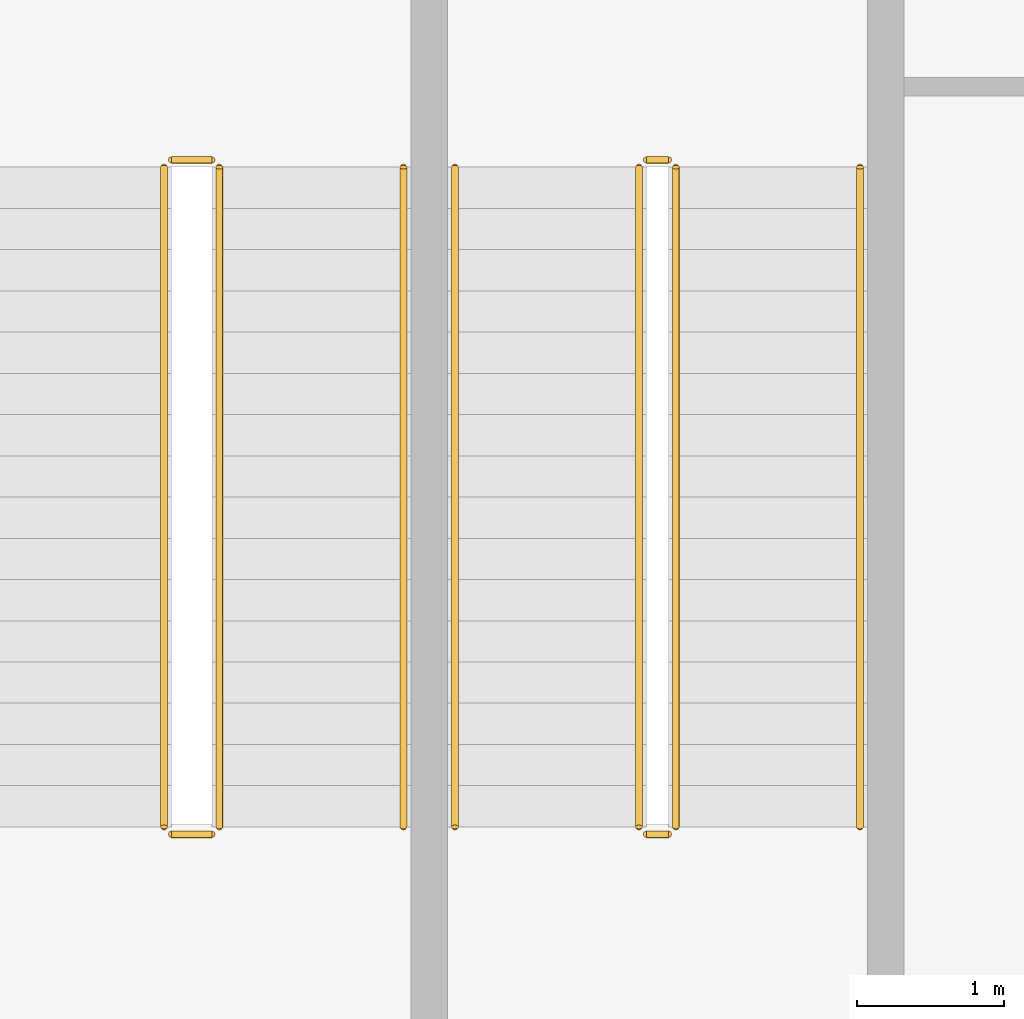
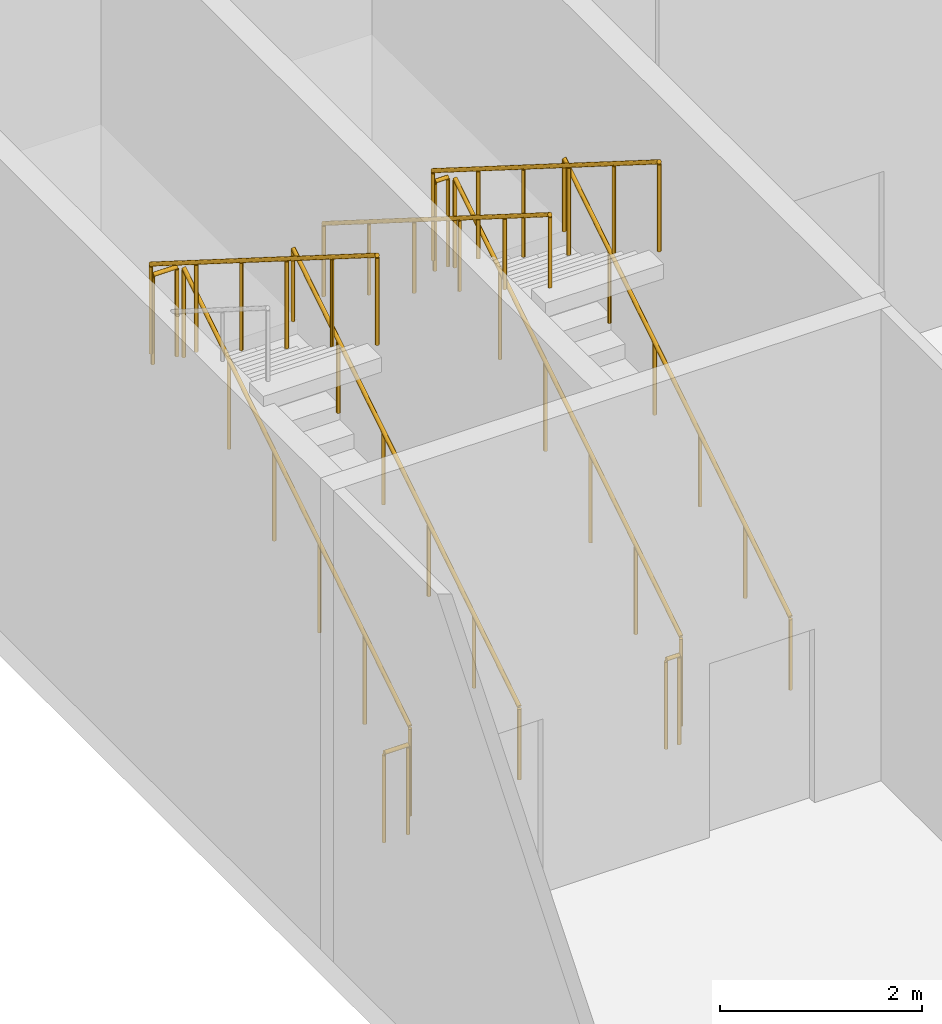
# One storey, part 45 of 47: 11 railings.
"""IFC4 building model written with IfcOpenShell, lengths in metres."""

from ifc_helpers import new_model, si_unit, direction, frame, origin, origin_2d, place, context, subcontext, project, spatial, circle, extrude, material, type_object, element, save


model = new_model("IFC4")

# Units and contexts
model_context = context("Model", 3, precision=1e-05, world=origin(), true_north=direction((0.0, 1.0)))
body_context = subcontext(model_context, "Body", "Model", "MODEL_VIEW")
ifc_project = project(units=[si_unit("LENGTHUNIT", "METRE"), si_unit("AREAUNIT", "SQUARE_METRE"), si_unit("VOLUMEUNIT", "CUBIC_METRE"), si_unit("PLANEANGLEUNIT", "RADIAN"), si_unit("MASSUNIT", "GRAM", prefix="KILO")], contexts=[model_context])

# Site, building, storey
site_placement = place(None, origin())
site = spatial("IfcSite", under=ifc_project, at=site_placement, CompositionType="ELEMENT")
building_placement = place(site_placement, origin())
building = spatial("IfcBuilding", under=site, at=building_placement, Name="Candeia Pilgrim Tower and Theatre", CompositionType="ELEMENT")
storey_placement = place(building_placement, frame((0.0, 0.0, 23.0)))
storey = spatial("IfcBuildingStorey", under=building, at=storey_placement, Name="L03", CompositionType="ELEMENT", Elevation=23.0)

# Railings
ifc_material = material(Name="Steel S355", Category="steel")
railing_type_1 = type_object("IfcRailingType", Name="Guard 1100 steel balustrade", PredefinedType="GUARDRAIL", material=ifc_material)
railing_1_placement = place(storey_placement, frame((177.800048828125, 107.77490234375, 0.176513671875)))
element("IfcRailing", 1, at=railing_1_placement, inside=storey, type_object=railing_type_1, Name="L03 TS1 stair guard 1", PredefinedType="GUARDRAIL", context=body_context, shape_type="SweptSolid", body=[
    extrude(circle(Radius=0.02392578125, at=origin_2d()), frame((0.0, 0.0, 1.076171875), z_axis=(0.0, 0.845997938375, 0.533186166611), x_axis=(-1.0, 0.0, 0.0)), (0.0, 0.0, 1.0), 5.29541015625),
    extrude(circle(Radius=0.02099609375, at=origin_2d()), origin(), (0.0, 0.0, 1.0), 1.052001953125),
    extrude(circle(Radius=0.02099609375, at=origin_2d()), frame((0.0, 0.89599609375, 0.564697265625)), (0.0, 0.0, 1.0), 1.052001953125),
    extrude(circle(Radius=0.02099609375, at=origin_2d()), frame((0.0, 1.7919921875, 1.12939453125)), (0.0, 0.0, 1.0), 1.052001953125),
    extrude(circle(Radius=0.02099609375, at=origin_2d()), frame((0.0, 2.68798828125, 1.694091796875)), (0.0, 0.0, 1.0), 1.052001953125),
    extrude(circle(Radius=0.02099609375, at=origin_2d()), frame((0.0, 3.583984375, 2.2587890625)), (0.0, 0.0, 1.0), 1.052001953125),
    extrude(circle(Radius=0.02099609375, at=origin_2d()), frame((0.0, 4.47998046875, 2.823486328125)), (0.0, 0.0, 1.0), 1.052001953125),
])
railing_2_placement = place(storey_placement, frame((177.75, 112.304931640625, 3.0)))
element("IfcRailing", 2, at=railing_2_placement, inside=storey, type_object=railing_type_1, Name="L03 TS1 stair guard 2", PredefinedType="GUARDRAIL", context=body_context, shape_type="SweptSolid", body=[
    extrude(circle(Radius=0.02392578125, at=origin_2d()), frame((0.0, 0.0, 1.076171875), z_axis=(-1.0, 0.0, 0.0), x_axis=(0.0, -1.0, 0.0)), (0.0, 0.0, 1.0), 0.27490234375),
    extrude(circle(Radius=0.02099609375, at=origin_2d()), origin(), (0.0, 0.0, 1.0), 1.052001953125),
    extrude(circle(Radius=0.02099609375, at=origin_2d()), frame((-0.27490234375, 0.0, 0.0)), (0.0, 0.0, 1.0), 1.052001953125),
])
railing_3_placement = place(storey_placement, frame((177.425048828125, 112.2548828125, 3.176513671875)))
element("IfcRailing", 3, at=railing_3_placement, inside=storey, type_object=railing_type_1, Name="L03 TS1 stair guard 3", PredefinedType="GUARDRAIL", context=body_context, shape_type="SweptSolid", body=[
    extrude(circle(Radius=0.02392578125, at=origin_2d()), frame((0.0, 0.0, 1.076171875), z_axis=(0.0, -0.845997938375, 0.533186166611), x_axis=(1.0, 0.0, 0.0)), (0.0, 0.0, 1.0), 5.29541015625),
    extrude(circle(Radius=0.02099609375, at=origin_2d()), origin(), (0.0, 0.0, 1.0), 1.052001953125),
    extrude(circle(Radius=0.02099609375, at=origin_2d()), frame((0.0, -0.89599609375, 0.564697265625)), (0.0, 0.0, 1.0), 1.052001953125),
    extrude(circle(Radius=0.02099609375, at=origin_2d()), frame((0.0, -1.7919921875, 1.12939453125)), (0.0, 0.0, 1.0), 1.052001953125),
    extrude(circle(Radius=0.02099609375, at=origin_2d()), frame((0.0, -2.68798828125, 1.694091796875)), (0.0, 0.0, 1.0), 1.052001953125),
    extrude(circle(Radius=0.02099609375, at=origin_2d()), frame((0.0, -3.583984375, 2.2587890625)), (0.0, 0.0, 1.0), 1.052001953125),
    extrude(circle(Radius=0.02099609375, at=origin_2d()), frame((0.0, -4.47998046875, 2.823486328125)), (0.0, 0.0, 1.0), 1.052001953125),
])
railing_4_placement = place(storey_placement, frame((177.75, 107.72509765625, 0.0)))
element("IfcRailing", 4, at=railing_4_placement, inside=storey, type_object=railing_type_1, Name="L03 TS1 stair guard 4", PredefinedType="GUARDRAIL", context=body_context, shape_type="SweptSolid", body=[
    extrude(circle(Radius=0.02392578125, at=origin_2d()), frame((0.0, 0.0, 1.076171875), z_axis=(-1.0, 0.0, 0.0), x_axis=(0.0, -1.0, 0.0)), (0.0, 0.0, 1.0), 0.27490234375),
    extrude(circle(Radius=0.02099609375, at=origin_2d()), origin(), (0.0, 0.0, 1.0), 1.052001953125),
    extrude(circle(Radius=0.02099609375, at=origin_2d()), frame((-0.27490234375, 0.0, 0.0)), (0.0, 0.0, 1.0), 1.052001953125),
])
railing_5_placement = place(storey_placement, frame((180.89990234375, 107.77490234375, 0.176513671875)))
element("IfcRailing", 5, at=railing_5_placement, inside=storey, type_object=railing_type_1, Name="L03 TS2 stair guard 1", PredefinedType="GUARDRAIL", context=body_context, shape_type="SweptSolid", body=[
    extrude(circle(Radius=0.02392578125, at=origin_2d()), frame((0.0, 0.0, 1.076171875), z_axis=(0.0, 0.845997938375, 0.533186166611), x_axis=(-1.0, 0.0, 0.0)), (0.0, 0.0, 1.0), 5.29541015625),
    extrude(circle(Radius=0.02099609375, at=origin_2d()), origin(), (0.0, 0.0, 1.0), 1.052001953125),
    extrude(circle(Radius=0.02099609375, at=origin_2d()), frame((0.0, 0.89599609375, 0.564697265625)), (0.0, 0.0, 1.0), 1.052001953125),
    extrude(circle(Radius=0.02099609375, at=origin_2d()), frame((0.0, 1.7919921875, 1.12939453125)), (0.0, 0.0, 1.0), 1.052001953125),
    extrude(circle(Radius=0.02099609375, at=origin_2d()), frame((0.0, 2.68798828125, 1.694091796875)), (0.0, 0.0, 1.0), 1.052001953125),
    extrude(circle(Radius=0.02099609375, at=origin_2d()), frame((0.0, 3.583984375, 2.2587890625)), (0.0, 0.0, 1.0), 1.052001953125),
    extrude(circle(Radius=0.02099609375, at=origin_2d()), frame((0.0, 4.47998046875, 2.823486328125)), (0.0, 0.0, 1.0), 1.052001953125),
])
railing_6_placement = place(storey_placement, frame((180.85009765625, 112.304931640625, 3.0)))
element("IfcRailing", 6, at=railing_6_placement, inside=storey, type_object=railing_type_1, Name="L03 TS2 stair guard 2", PredefinedType="GUARDRAIL", context=body_context, shape_type="SweptSolid", body=[
    extrude(circle(Radius=0.02392578125, at=origin_2d()), frame((0.0, 0.0, 1.076171875), z_axis=(-1.0, 0.0, 0.0), x_axis=(0.0, -1.0, 0.0)), (0.0, 0.0, 1.0), 0.150146484375),
    extrude(circle(Radius=0.02099609375, at=origin_2d()), origin(), (0.0, 0.0, 1.0), 1.052001953125),
    extrude(circle(Radius=0.02099609375, at=origin_2d()), frame((-0.150146484375, 0.0, 0.0)), (0.0, 0.0, 1.0), 1.052001953125),
])
railing_7_placement = place(storey_placement, frame((180.64990234375, 112.2548828125, 3.176513671875)))
element("IfcRailing", 7, at=railing_7_placement, inside=storey, type_object=railing_type_1, Name="L03 TS2 stair guard 3", PredefinedType="GUARDRAIL", context=body_context, shape_type="SweptSolid", body=[
    extrude(circle(Radius=0.02392578125, at=origin_2d()), frame((0.0, 0.0, 1.076171875), z_axis=(0.0, -0.845997938375, 0.533186166611), x_axis=(1.0, 0.0, 0.0)), (0.0, 0.0, 1.0), 5.29541015625),
    extrude(circle(Radius=0.02099609375, at=origin_2d()), origin(), (0.0, 0.0, 1.0), 1.052001953125),
    extrude(circle(Radius=0.02099609375, at=origin_2d()), frame((0.0, -0.89599609375, 0.564697265625)), (0.0, 0.0, 1.0), 1.052001953125),
    extrude(circle(Radius=0.02099609375, at=origin_2d()), frame((0.0, -1.7919921875, 1.12939453125)), (0.0, 0.0, 1.0), 1.052001953125),
    extrude(circle(Radius=0.02099609375, at=origin_2d()), frame((0.0, -2.68798828125, 1.694091796875)), (0.0, 0.0, 1.0), 1.052001953125),
    extrude(circle(Radius=0.02099609375, at=origin_2d()), frame((0.0, -3.583984375, 2.2587890625)), (0.0, 0.0, 1.0), 1.052001953125),
    extrude(circle(Radius=0.02099609375, at=origin_2d()), frame((0.0, -4.47998046875, 2.823486328125)), (0.0, 0.0, 1.0), 1.052001953125),
])
railing_8_placement = place(storey_placement, frame((180.85009765625, 107.72509765625, 0.0)))
element("IfcRailing", 8, at=railing_8_placement, inside=storey, type_object=railing_type_1, Name="L03 TS2 stair guard 4", PredefinedType="GUARDRAIL", context=body_context, shape_type="SweptSolid", body=[
    extrude(circle(Radius=0.02392578125, at=origin_2d()), frame((0.0, 0.0, 1.076171875), z_axis=(-1.0, 0.0, 0.0), x_axis=(0.0, -1.0, 0.0)), (0.0, 0.0, 1.0), 0.150146484375),
    extrude(circle(Radius=0.02099609375, at=origin_2d()), origin(), (0.0, 0.0, 1.0), 1.052001953125),
    extrude(circle(Radius=0.02099609375, at=origin_2d()), frame((-0.150146484375, 0.0, 0.0)), (0.0, 0.0, 1.0), 1.052001953125),
])
railing_type_2 = type_object("IfcRailingType", Name="Handrail 900 steel", PredefinedType="HANDRAIL", material=ifc_material)
for number, where, name in (
    (9, (179.050048828125, 107.77490234375, 0.176513671875), "L03 TS1 stair handrail 1"),
    (10, (182.14990234375, 107.77490234375, 0.176513671875), "L03 TS2 stair handrail 1"),
):
    element("IfcRailing", number, at=place(storey_placement, frame(where)), inside=storey, type_object=railing_type_2, Name=name, PredefinedType="HANDRAIL", context=body_context, shape_type="SweptSolid", body=[
        extrude(circle(Radius=0.02392578125, at=origin_2d()), frame((0.0, 0.0, 0.8759765625), z_axis=(0.0, 0.845997938375, 0.533186166611), x_axis=(-1.0, 0.0, 0.0)), (0.0, 0.0, 1.0), 5.29541015625),
        extrude(circle(Radius=0.02099609375, at=origin_2d()), origin(), (0.0, 0.0, 1.0), 0.851806640625),
        extrude(circle(Radius=0.02099609375, at=origin_2d()), frame((0.0, 0.89599609375, 0.564697265625)), (0.0, 0.0, 1.0), 0.851806640625),
        extrude(circle(Radius=0.02099609375, at=origin_2d()), frame((0.0, 1.7919921875, 1.12939453125)), (0.0, 0.0, 1.0), 0.851806640625),
        extrude(circle(Radius=0.02099609375, at=origin_2d()), frame((0.0, 2.68798828125, 1.694091796875)), (0.0, 0.0, 1.0), 0.851806640625),
        extrude(circle(Radius=0.02099609375, at=origin_2d()), frame((0.0, 3.583984375, 2.2587890625)), (0.0, 0.0, 1.0), 0.851806640625),
        extrude(circle(Radius=0.02099609375, at=origin_2d()), frame((0.0, 4.47998046875, 2.823486328125)), (0.0, 0.0, 1.0), 0.851806640625),
    ])
railing_9_placement = place(storey_placement, frame((179.39990234375, 112.2548828125, 3.176513671875)))
element("IfcRailing", 11, at=railing_9_placement, inside=storey, type_object=railing_type_2, Name="L03 TS2 stair handrail 2", PredefinedType="HANDRAIL", context=body_context, shape_type="SweptSolid", body=[
    extrude(circle(Radius=0.02392578125, at=origin_2d()), frame((0.0, 0.0, 0.8759765625), z_axis=(0.0, -0.845997938375, 0.533186166611), x_axis=(1.0, 0.0, 0.0)), (0.0, 0.0, 1.0), 5.29541015625),
    extrude(circle(Radius=0.02099609375, at=origin_2d()), origin(), (0.0, 0.0, 1.0), 0.851806640625),
    extrude(circle(Radius=0.02099609375, at=origin_2d()), frame((0.0, -0.89599609375, 0.564697265625)), (0.0, 0.0, 1.0), 0.851806640625),
    extrude(circle(Radius=0.02099609375, at=origin_2d()), frame((0.0, -1.7919921875, 1.12939453125)), (0.0, 0.0, 1.0), 0.851806640625),
    extrude(circle(Radius=0.02099609375, at=origin_2d()), frame((0.0, -2.68798828125, 1.694091796875)), (0.0, 0.0, 1.0), 0.851806640625),
    extrude(circle(Radius=0.02099609375, at=origin_2d()), frame((0.0, -3.583984375, 2.2587890625)), (0.0, 0.0, 1.0), 0.851806640625),
    extrude(circle(Radius=0.02099609375, at=origin_2d()), frame((0.0, -4.47998046875, 2.823486328125)), (0.0, 0.0, 1.0), 0.851806640625),
])

save(model, "model.ifc")
